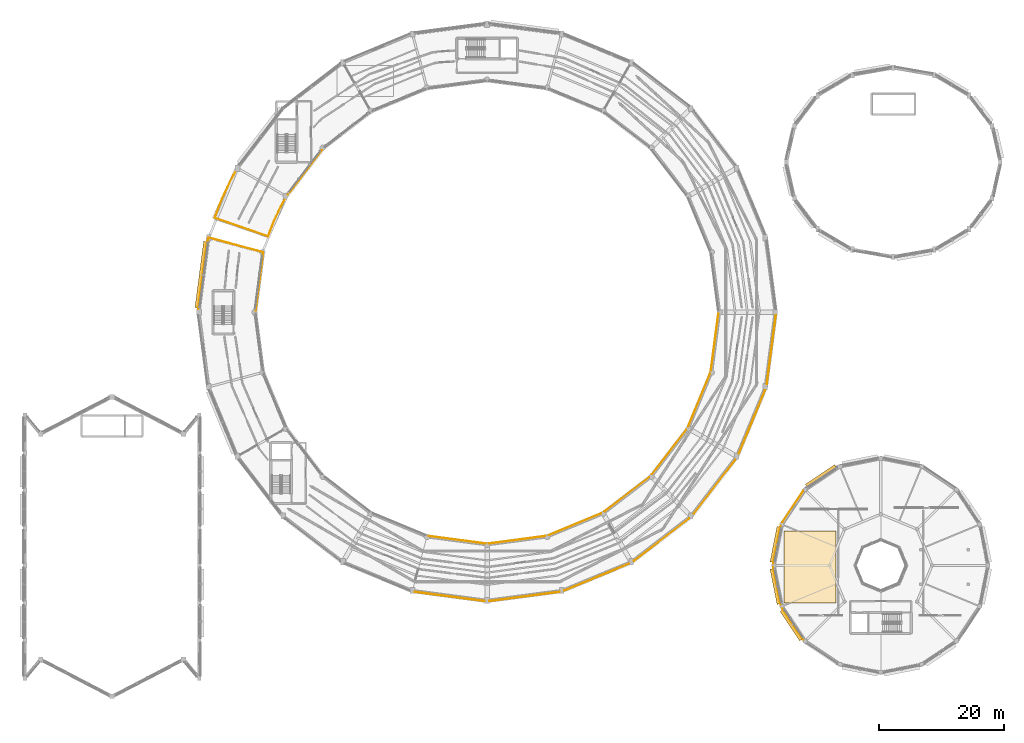
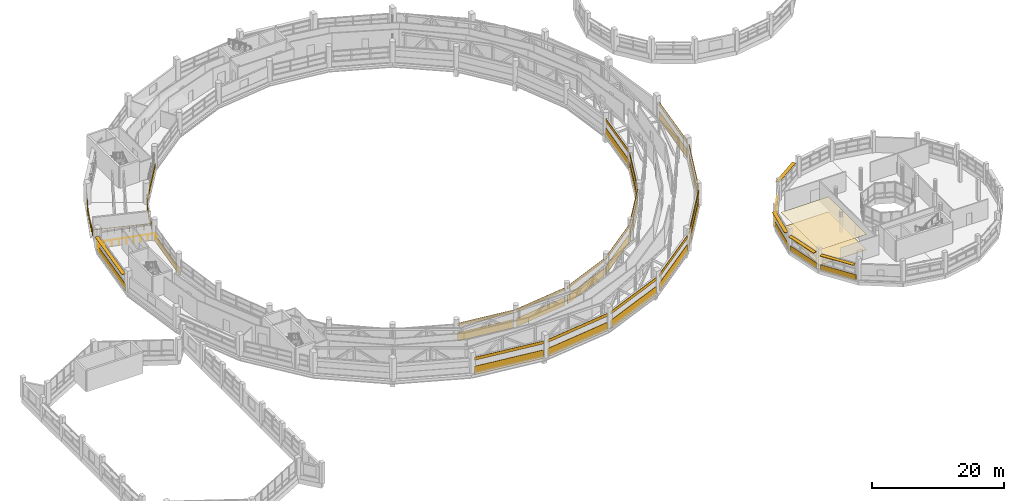
# One storey, part 115 of 121: 37 coverings, 5 shading devices, 2 railings.
"""IFC4 building model written with IfcOpenShell, lengths in metres."""

from ifc_helpers import new_model, si_unit, direction, frame, frame_2d, origin, origin_2d, place, context, subcontext, project, spatial, polyline, rectangle, circle, outline, extrude, material, layer, layer_set, type_object, element, save


model = new_model("IFC4")

# Units and contexts
model_context = context("Model", 3, precision=1e-05, world=origin(), true_north=direction((0.0, 1.0)))
body_context = subcontext(model_context, "Body", "Model", "MODEL_VIEW")
ifc_project = project(units=[si_unit("LENGTHUNIT", "METRE"), si_unit("AREAUNIT", "SQUARE_METRE"), si_unit("VOLUMEUNIT", "CUBIC_METRE"), si_unit("PLANEANGLEUNIT", "RADIAN"), si_unit("MASSUNIT", "GRAM", prefix="KILO")], contexts=[model_context])

# Site, building, storey
site_placement = place(None, origin())
site = spatial("IfcSite", under=ifc_project, at=site_placement, CompositionType="ELEMENT")
building_placement = place(site_placement, origin())
building = spatial("IfcBuilding", under=site, at=building_placement, Name="Vespera Passage Community Centre", CompositionType="ELEMENT")
storey_placement = place(building_placement, frame((0.0, 0.0, 8.699951171875)))
storey = spatial("IfcBuildingStorey", under=building, at=storey_placement, Name="L02", CompositionType="ELEMENT", Elevation=8.699951171875)

# Coverings
ifc_material_1 = material(Name="Acoustic mineral-fibre tile")
ifc_layer_1 = layer(ifc_material_1, 0.02490234375)
ifc_layer_set_1 = layer_set([ifc_layer_1], Name="Acoustic mineral-fibre tile")
covering_type_1 = type_object("IfcCoveringType", Name="COV-CEIL-25I", PredefinedType="CEILING", material=ifc_layer_set_1)
covering_1_placement = place(storey_placement, frame((0.0, 0.0, 2.800048828125)))
element("IfcCovering", 1, at=covering_1_placement, inside=storey, type_object=covering_type_1, Name="Seminar Room Acoustic Ceiling", PredefinedType="CEILING", context=body_context, shape_type="SweptSolid", body=[
    extrude(outline(polyline([(125.5, 19.0), (133.800048828125, 19.0), (133.800048828125, 30.5), (125.5, 30.5), (125.5, 19.0)])), origin(), (0.0, 0.0, 1.0), 0.02490234375),
])
ifc_material_2 = material(Name="Precast concrete f'c 40 MPa", Category="concrete")
ifc_layer_2 = layer(ifc_material_2, 0.06005859375)
ifc_layer_set_2 = layer_set([ifc_layer_2], Name="Precast concrete f'c 40 MPa")
covering_type_2 = type_object("IfcCoveringType", Name="COV-CLAD-60E", PredefinedType="CLADDING", material=ifc_layer_set_2)
covering_2_placement = place(storey_placement, frame((51.603515625, 91.4296875, -0.47998046875), z_axis=(0.0, 0.0, 1.0), x_axis=(-0.608765610033, -0.793350132061, 0.0)))
element("IfcCovering", 2, at=covering_2_placement, inside=storey, type_object=covering_type_2, Name="V4 L02 Inner Court White Spandrel Band I9", PredefinedType="CLADDING", context=body_context, shape_type="SweptSolid", body=[
    extrude(rectangle(XDim=9.004638671875, YDim=0.06005859375, at=frame_2d((4.50244140625, 0.0))), origin(), (0.0, 0.0, 1.0), 1.300048828125),
])
covering_3_placement = place(storey_placement, frame((31.794189453125, 65.997314453125, -0.47998046875), z_axis=(0.0, 0.0, 1.0), x_axis=(0.130513242145, 0.991446566197, 0.0)))
element("IfcCovering", 3, at=covering_3_placement, inside=storey, type_object=covering_type_2, Name="V4 L02 Outer White Spandrel Band O11", PredefinedType="CLADDING", context=body_context, shape_type="SweptSolid", body=[
    extrude(rectangle(XDim=11.075927734375, YDim=0.06005859375, at=frame_2d((5.5380859375, 0.0))), origin(), (0.0, 0.0, 1.0), 1.300048828125),
])
covering_4_placement = place(storey_placement, frame((42.18505859375, 74.832763671875, -0.47998046875), z_axis=(0.0, 0.0, 1.0), x_axis=(-0.13052003772, -0.99144567161, 0.0)))
element("IfcCovering", 4, at=covering_4_placement, inside=storey, type_object=covering_type_2, Name="V4 L02 Inner Court White Spandrel Band I11", PredefinedType="CLADDING", context=body_context, shape_type="SweptSolid", body=[
    extrude(rectangle(XDim=9.15625, YDim=0.06005859375, at=frame_2d((4.578125, 0.0))), origin(), (0.0, 0.0, 1.0), 1.300048828125),
])
covering_5_placement = place(storey_placement, frame((77.627685546875, 19.277587890625, -0.47998046875), z_axis=(0.0, 0.0, 1.0), x_axis=(-0.991446004399, 0.130517509785, 0.0)))
element("IfcCovering", 5, at=covering_5_placement, inside=storey, type_object=covering_type_2, Name="V4 L02 Outer Truss Spandrel Band O17", PredefinedType="CLADDING", context=body_context, shape_type="SweptSolid", body=[
    extrude(rectangle(XDim=11.328125, YDim=0.06005859375, at=frame_2d((5.6640625, 0.0))), origin(), (0.0, 0.0, 1.0), 1.530029296875),
])
covering_6_placement = place(storey_placement, frame((77.627685546875, 19.277587890625, 2.15576171875), z_axis=(0.0, 0.0, 1.0), x_axis=(-0.991446004399, 0.130517509785, 0.0)))
element("IfcCovering", 6, at=covering_6_placement, inside=storey, type_object=covering_type_2, Name="V4 L02 Outer Truss Frieze Band O17", PredefinedType="CLADDING", context=body_context, shape_type="SweptSolid", body=[
    extrude(rectangle(XDim=11.328125, YDim=0.06005859375, at=frame_2d((5.6640625, 0.0))), origin(), (0.0, 0.0, 1.0), 0.5498046875),
])
covering_7_placement = place(storey_placement, frame((68.667236328125, 29.68505859375, -0.47998046875), z_axis=(0.0, 0.0, 1.0), x_axis=(0.99144567161, -0.13052003772, 0.0)))
element("IfcCovering", 7, at=covering_7_placement, inside=storey, type_object=covering_type_2, Name="V4 L02 Court Truss Spandrel Band I17", PredefinedType="CLADDING", context=body_context, shape_type="SweptSolid", body=[
    extrude(rectangle(XDim=9.15625, YDim=0.06005859375, at=frame_2d((4.578125, 0.0))), origin(), (0.0, 0.0, 1.0), 1.530029296875),
])
covering_8_placement = place(storey_placement, frame((68.667236328125, 29.68505859375, 2.239501953125), z_axis=(0.0, 0.0, 1.0), x_axis=(0.99144567161, -0.13052003772, 0.0)))
element("IfcCovering", 8, at=covering_8_placement, inside=storey, type_object=covering_type_2, Name="V4 L02 Court Truss Frieze Band I17", PredefinedType="CLADDING", context=body_context, shape_type="SweptSolid", body=[
    extrude(rectangle(XDim=9.15625, YDim=0.06005859375, at=frame_2d((4.578125, 0.0))), origin(), (0.0, 0.0, 1.0), 0.550048828125),
])
covering_9_placement = place(storey_placement, frame((89.603515625, 20.756103515625, -0.47998046875), z_axis=(0.0, 0.0, 1.0), x_axis=(-0.991446004399, -0.130517509785, 0.0)))
element("IfcCovering", 9, at=covering_9_placement, inside=storey, type_object=covering_type_2, Name="V4 L02 Outer Truss Spandrel Band O18", PredefinedType="CLADDING", context=body_context, shape_type="SweptSolid", body=[
    extrude(rectangle(XDim=11.328125, YDim=0.06005859375, at=frame_2d((5.6640625, 0.0))), origin(), (0.0, 0.0, 1.0), 1.530029296875),
])
covering_10_placement = place(storey_placement, frame((89.603515625, 20.756103515625, 2.15576171875), z_axis=(0.0, 0.0, 1.0), x_axis=(-0.991446004399, -0.130517509785, 0.0)))
element("IfcCovering", 10, at=covering_10_placement, inside=storey, type_object=covering_type_2, Name="V4 L02 Outer Truss Frieze Band O18", PredefinedType="CLADDING", context=body_context, shape_type="SweptSolid", body=[
    extrude(rectangle(XDim=11.328125, YDim=0.06005859375, at=frame_2d((5.6640625, 0.0))), origin(), (0.0, 0.0, 1.0), 0.5498046875),
])
covering_11_placement = place(storey_placement, frame((78.2548828125, 28.489990234375, -0.47998046875), z_axis=(0.0, 0.0, 1.0), x_axis=(0.99144567161, 0.13052003772, 0.0)))
element("IfcCovering", 11, at=covering_11_placement, inside=storey, type_object=covering_type_2, Name="V4 L02 Court Truss Spandrel Band I18", PredefinedType="CLADDING", context=body_context, shape_type="SweptSolid", body=[
    extrude(rectangle(XDim=9.15625, YDim=0.06005859375, at=frame_2d((4.578125, 0.0))), origin(), (0.0, 0.0, 1.0), 1.530029296875),
])
covering_12_placement = place(storey_placement, frame((78.2548828125, 28.489990234375, 2.239501953125), z_axis=(0.0, 0.0, 1.0), x_axis=(0.99144567161, 0.13052003772, 0.0)))
element("IfcCovering", 12, at=covering_12_placement, inside=storey, type_object=covering_type_2, Name="V4 L02 Court Truss Frieze Band I18", PredefinedType="CLADDING", context=body_context, shape_type="SweptSolid", body=[
    extrude(rectangle(XDim=9.15625, YDim=0.06005859375, at=frame_2d((4.578125, 0.0))), origin(), (0.0, 0.0, 1.0), 0.550048828125),
])
covering_13_placement = place(storey_placement, frame((100.76318359375, 25.273193359375, -0.47998046875), z_axis=(0.0, 0.0, 1.0), x_axis=(-0.923883530636, -0.382673779896, 0.0)))
element("IfcCovering", 13, at=covering_13_placement, inside=storey, type_object=covering_type_2, Name="V4 L02 Outer Truss Spandrel Band O19", PredefinedType="CLADDING", context=body_context, shape_type="SweptSolid", body=[
    extrude(rectangle(XDim=11.2724609375, YDim=0.06005859375, at=frame_2d((5.63623046875, 0.0))), origin(), (0.0, 0.0, 1.0), 1.530029296875),
])
covering_14_placement = place(storey_placement, frame((100.76318359375, 25.273193359375, 2.15576171875), z_axis=(0.0, 0.0, 1.0), x_axis=(-0.923883530636, -0.382673779896, 0.0)))
element("IfcCovering", 14, at=covering_14_placement, inside=storey, type_object=covering_type_2, Name="V4 L02 Outer Truss Frieze Band O19", PredefinedType="CLADDING", context=body_context, shape_type="SweptSolid", body=[
    extrude(rectangle(XDim=11.2724609375, YDim=0.06005859375, at=frame_2d((5.63623046875, 0.0))), origin(), (0.0, 0.0, 1.0), 0.5498046875),
])
covering_15_placement = place(storey_placement, frame((87.845703125, 29.825439453125, -0.47998046875), z_axis=(0.0, 0.0, 1.0), x_axis=(0.92387477551, 0.38269491658, 0.0)))
element("IfcCovering", 15, at=covering_15_placement, inside=storey, type_object=covering_type_2, Name="V4 L02 Court Truss Spandrel Band I19", PredefinedType="CLADDING", context=body_context, shape_type="SweptSolid", body=[
    extrude(rectangle(XDim=9.11181640625, YDim=0.06005859375, at=frame_2d((4.555908203125, 0.0))), origin(), (0.0, 0.0, 1.0), 1.530029296875),
])
covering_16_placement = place(storey_placement, frame((87.845703125, 29.825439453125, 2.239501953125), z_axis=(0.0, 0.0, 1.0), x_axis=(0.92387477551, 0.38269491658, 0.0)))
element("IfcCovering", 16, at=covering_16_placement, inside=storey, type_object=covering_type_2, Name="V4 L02 Court Truss Frieze Band I19", PredefinedType="CLADDING", context=body_context, shape_type="SweptSolid", body=[
    extrude(rectangle(XDim=9.11181640625, YDim=0.06005859375, at=frame_2d((4.555908203125, 0.0))), origin(), (0.0, 0.0, 1.0), 0.550048828125),
])
covering_17_placement = place(storey_placement, frame((110.345947265625, 32.4951171875, -0.47998046875), z_axis=(0.0, 0.0, 1.0), x_axis=(-0.793342066679, -0.608776120785, 0.0)))
element("IfcCovering", 17, at=covering_17_placement, inside=storey, type_object=covering_type_2, Name="V4 L02 Outer Truss Spandrel Band O20", PredefinedType="CLADDING", context=body_context, shape_type="SweptSolid", body=[
    extrude(rectangle(XDim=11.13916015625, YDim=0.06005859375, at=frame_2d((5.569580078125, 0.0))), origin(), (0.0, 0.0, 1.0), 1.530029296875),
])
covering_18_placement = place(storey_placement, frame((110.345947265625, 32.4951171875, 2.15576171875), z_axis=(0.0, 0.0, 1.0), x_axis=(-0.793342066679, -0.608776120785, 0.0)))
element("IfcCovering", 18, at=covering_18_placement, inside=storey, type_object=covering_type_2, Name="V4 L02 Outer Truss Frieze Band O20", PredefinedType="CLADDING", context=body_context, shape_type="SweptSolid", body=[
    extrude(rectangle(XDim=11.13916015625, YDim=0.06005859375, at=frame_2d((5.569580078125, 0.0))), origin(), (0.0, 0.0, 1.0), 0.5498046875),
])
covering_19_placement = place(storey_placement, frame((96.785888671875, 33.621826171875, -0.47998046875), z_axis=(0.0, 0.0, 1.0), x_axis=(0.793350132061, 0.608765610033, 0.0)))
element("IfcCovering", 19, at=covering_19_placement, inside=storey, type_object=covering_type_2, Name="V4 L02 Court Truss Spandrel Band I20", PredefinedType="CLADDING", context=body_context, shape_type="SweptSolid", body=[
    extrude(rectangle(XDim=9.004638671875, YDim=0.06005859375, at=frame_2d((4.50244140625, 0.0))), origin(), (0.0, 0.0, 1.0), 1.530029296875),
])
covering_20_placement = place(storey_placement, frame((96.785888671875, 33.621826171875, 2.239501953125), z_axis=(0.0, 0.0, 1.0), x_axis=(0.793350132061, 0.608765610033, 0.0)))
element("IfcCovering", 20, at=covering_20_placement, inside=storey, type_object=covering_type_2, Name="V4 L02 Court Truss Frieze Band I20", PredefinedType="CLADDING", context=body_context, shape_type="SweptSolid", body=[
    extrude(rectangle(XDim=9.004638671875, YDim=0.06005859375, at=frame_2d((4.50244140625, 0.0))), origin(), (0.0, 0.0, 1.0), 0.550048828125),
])
covering_21_placement = place(storey_placement, frame((117.698974609375, 41.877685546875, -0.47998046875), z_axis=(0.0, 0.0, 1.0), x_axis=(-0.608767750285, -0.793348489765, 0.0)))
element("IfcCovering", 21, at=covering_21_placement, inside=storey, type_object=covering_type_2, Name="V4 L02 Outer Truss Spandrel Band O21", PredefinedType="CLADDING", context=body_context, shape_type="SweptSolid", body=[
    extrude(rectangle(XDim=10.8525390625, YDim=0.06005859375, at=frame_2d((5.42626953125, 0.0))), origin(), (0.0, 0.0, 1.0), 1.530029296875),
])
covering_22_placement = place(storey_placement, frame((117.698974609375, 41.877685546875, 2.15576171875), z_axis=(0.0, 0.0, 1.0), x_axis=(-0.608767750285, -0.793348489765, 0.0)))
element("IfcCovering", 22, at=covering_22_placement, inside=storey, type_object=covering_type_2, Name="V4 L02 Outer Truss Frieze Band O21", PredefinedType="CLADDING", context=body_context, shape_type="SweptSolid", body=[
    extrude(rectangle(XDim=10.8525390625, YDim=0.06005859375, at=frame_2d((5.42626953125, 0.0))), origin(), (0.0, 0.0, 1.0), 0.5498046875),
])
covering_23_placement = place(storey_placement, frame((104.396484375, 39.5703125, -0.47998046875), z_axis=(0.0, 0.0, 1.0), x_axis=(0.608765610033, 0.793350132061, 0.0)))
element("IfcCovering", 23, at=covering_23_placement, inside=storey, type_object=covering_type_2, Name="V4 L02 Court Truss Spandrel Band I21", PredefinedType="CLADDING", context=body_context, shape_type="SweptSolid", body=[
    extrude(rectangle(XDim=9.004638671875, YDim=0.06005859375, at=frame_2d((4.50244140625, 0.0))), origin(), (0.0, 0.0, 1.0), 1.530029296875),
])
covering_24_placement = place(storey_placement, frame((104.396484375, 39.5703125, 2.239501953125), z_axis=(0.0, 0.0, 1.0), x_axis=(0.608765610033, 0.793350132061, 0.0)))
element("IfcCovering", 24, at=covering_24_placement, inside=storey, type_object=covering_type_2, Name="V4 L02 Court Truss Frieze Band I21", PredefinedType="CLADDING", context=body_context, shape_type="SweptSolid", body=[
    extrude(rectangle(XDim=9.004638671875, YDim=0.06005859375, at=frame_2d((4.50244140625, 0.0))), origin(), (0.0, 0.0, 1.0), 0.550048828125),
])
covering_25_placement = place(storey_placement, frame((122.48876953125, 53.0263671875, -0.47998046875), z_axis=(0.0, 0.0, 1.0), x_axis=(-0.382695413149, -0.923874569817, 0.0)))
element("IfcCovering", 25, at=covering_25_placement, inside=storey, type_object=covering_type_2, Name="V4 L02 Outer Truss Spandrel Band O22", PredefinedType="CLADDING", context=body_context, shape_type="SweptSolid", body=[
    extrude(rectangle(XDim=11.002197265625, YDim=0.06005859375, at=frame_2d((5.5009765625, 0.0))), origin(), (0.0, 0.0, 1.0), 1.530029296875),
])
covering_26_placement = place(storey_placement, frame((122.48876953125, 53.0263671875, 2.15576171875), z_axis=(0.0, 0.0, 1.0), x_axis=(-0.382695413149, -0.923874569817, 0.0)))
element("IfcCovering", 26, at=covering_26_placement, inside=storey, type_object=covering_type_2, Name="V4 L02 Outer Truss Frieze Band O22", PredefinedType="CLADDING", context=body_context, shape_type="SweptSolid", body=[
    extrude(rectangle(XDim=11.002197265625, YDim=0.06005859375, at=frame_2d((5.5009765625, 0.0))), origin(), (0.0, 0.0, 1.0), 0.5498046875),
])
covering_27_placement = place(storey_placement, frame((110.1875, 47.236083984375, -0.47998046875), z_axis=(0.0, 0.0, 1.0), x_axis=(0.38269491658, 0.92387477551, 0.0)))
element("IfcCovering", 27, at=covering_27_placement, inside=storey, type_object=covering_type_2, Name="V4 L02 Court Truss Spandrel Band I22", PredefinedType="CLADDING", context=body_context, shape_type="SweptSolid", body=[
    extrude(rectangle(XDim=9.11181640625, YDim=0.06005859375, at=frame_2d((4.555908203125, 0.0))), origin(), (0.0, 0.0, 1.0), 1.530029296875),
])
covering_28_placement = place(storey_placement, frame((110.1875, 47.236083984375, 2.239501953125), z_axis=(0.0, 0.0, 1.0), x_axis=(0.38269491658, 0.92387477551, 0.0)))
element("IfcCovering", 28, at=covering_28_placement, inside=storey, type_object=covering_type_2, Name="V4 L02 Court Truss Frieze Band I22", PredefinedType="CLADDING", context=body_context, shape_type="SweptSolid", body=[
    extrude(rectangle(XDim=9.11181640625, YDim=0.06005859375, at=frame_2d((4.555908203125, 0.0))), origin(), (0.0, 0.0, 1.0), 0.550048828125),
])
covering_29_placement = place(storey_placement, frame((124.205810546875, 65.002685546875, -0.47998046875), z_axis=(0.0, 0.0, 1.0), x_axis=(-0.130513242145, -0.991446566197, 0.0)))
element("IfcCovering", 29, at=covering_29_placement, inside=storey, type_object=covering_type_2, Name="V4 L02 Outer Truss Spandrel Band O23", PredefinedType="CLADDING", context=body_context, shape_type="SweptSolid", body=[
    extrude(rectangle(XDim=11.075927734375, YDim=0.06005859375, at=frame_2d((5.5380859375, 0.0))), origin(), (0.0, 0.0, 1.0), 1.530029296875),
])
covering_30_placement = place(storey_placement, frame((124.205810546875, 65.002685546875, 2.15576171875), z_axis=(0.0, 0.0, 1.0), x_axis=(-0.130513242145, -0.991446566197, 0.0)))
element("IfcCovering", 30, at=covering_30_placement, inside=storey, type_object=covering_type_2, Name="V4 L02 Outer Truss Frieze Band O23", PredefinedType="CLADDING", context=body_context, shape_type="SweptSolid", body=[
    extrude(rectangle(XDim=11.075927734375, YDim=0.06005859375, at=frame_2d((5.5380859375, 0.0))), origin(), (0.0, 0.0, 1.0), 0.5498046875),
])
covering_31_placement = place(storey_placement, frame((113.81494140625, 56.167236328125, -0.47998046875), z_axis=(0.0, 0.0, 1.0), x_axis=(0.13052003772, 0.99144567161, 0.0)))
element("IfcCovering", 31, at=covering_31_placement, inside=storey, type_object=covering_type_2, Name="V4 L02 Court Truss Spandrel Band I23", PredefinedType="CLADDING", context=body_context, shape_type="SweptSolid", body=[
    extrude(rectangle(XDim=9.15625, YDim=0.06005859375, at=frame_2d((4.578125, 0.0))), origin(), (0.0, 0.0, 1.0), 1.530029296875),
])
covering_32_placement = place(storey_placement, frame((113.81494140625, 56.167236328125, 2.239501953125), z_axis=(0.0, 0.0, 1.0), x_axis=(0.13052003772, 0.99144567161, 0.0)))
element("IfcCovering", 32, at=covering_32_placement, inside=storey, type_object=covering_type_2, Name="V4 L02 Court Truss Frieze Band I23", PredefinedType="CLADDING", context=body_context, shape_type="SweptSolid", body=[
    extrude(rectangle(XDim=9.15625, YDim=0.06005859375, at=frame_2d((4.578125, 0.0))), origin(), (0.0, 0.0, 1.0), 0.550048828125),
])
covering_33_placement = place(storey_placement, frame((125.246826171875, 31.91748046875, -0.260009765625), z_axis=(0.0, 0.0, 1.0), x_axis=(0.555573083966, 0.831467707354, 0.0)))
element("IfcCovering", 33, at=covering_33_placement, inside=storey, type_object=covering_type_2, Name="V3 L02 White Sill Band 7", PredefinedType="CLADDING", context=body_context, shape_type="SweptSolid", body=[
    extrude(rectangle(XDim=6.00048828125, YDim=0.06005859375, at=frame_2d((3.000244140625, 0.0))), origin(), (0.0, 0.0, 1.0), 1.080078125),
])
for number, where, z_axis, x_axis, name in (
    (34, (123.7880859375, 25.30859375, -0.260009765625), (0.0, 0.0, 1.0), (0.195101780047, 0.98078300119, 0.0), "V3 L02 White Spandrel Band 8"),
    (35, (124.980224609375, 18.698486328125, -0.260009765625), (0.0, 0.0, 1.0), (-0.195101780047, 0.98078300119, 0.0), "V3 L02 White Spandrel Band 9"),
):
    element("IfcCovering", number, at=place(storey_placement, frame(where, z_axis=z_axis, x_axis=x_axis)), inside=storey, type_object=covering_type_2, Name=name, PredefinedType="CLADDING", context=body_context, shape_type="SweptSolid", body=[
        extrude(rectangle(XDim=6.1103515625, YDim=0.06005859375, at=frame_2d((3.05517578125, 0.0))), origin(), (0.0, 0.0, 1.0), 1.06005859375),
    ])
covering_34_placement = place(storey_placement, frame((128.58056640625, 13.09326171875, -0.260009765625), z_axis=(0.0, 0.0, 1.0), x_axis=(-0.555573083966, 0.831467707354, 0.0)))
element("IfcCovering", 36, at=covering_34_placement, inside=storey, type_object=covering_type_2, Name="V3 L02 White Spandrel Band 10", PredefinedType="CLADDING", context=body_context, shape_type="SweptSolid", body=[
    extrude(rectangle(XDim=6.00048828125, YDim=0.06005859375, at=frame_2d((3.000244140625, 0.0))), origin(), (0.0, 0.0, 1.0), 1.06005859375),
])
ifc_material_3 = material(Name="Epoxy terrazzo flooring")
ifc_layer_3 = layer(ifc_material_3, 0.02001953125)
ifc_layer_set_3 = layer_set([ifc_layer_3], Name="Epoxy terrazzo flooring")
covering_type_3 = type_object("IfcCoveringType", Name="COV-FLOOR-20I", PredefinedType="FLOORING", material=ifc_layer_set_3)
covering_35_placement = place(storey_placement, origin())
element("IfcCovering", 37, at=covering_35_placement, inside=storey, type_object=covering_type_3, Name="Seminar Suite Flooring", PredefinedType="FLOORING", context=body_context, shape_type="SweptSolid", body=[
    extrude(outline(polyline([(125.5, 19.0), (133.800048828125, 19.0), (133.800048828125, 30.5), (125.5, 30.5), (125.5, 19.0)])), origin(), (0.0, 0.0, 1.0), 0.02001953125),
])

# Railings
ifc_material_4 = material(Name="Steel ASTM A500 Grade C", Category="steel")
railing_type = type_object("IfcRailingType", Name="RL-EXT-1100E", PredefinedType="GUARDRAIL", material=ifc_material_4)
railing_1_placement = place(storey_placement, frame((38.46728515625, 89.253662109375, 0.0)))
element("IfcRailing", 38, at=railing_1_placement, inside=storey, type_object=railing_type, Name="V4 L02 Daylight Slot North-West Guard", PredefinedType="GUARDRAIL", context=body_context, shape_type="SweptSolid", body=[
    extrude(circle(Radius=0.02392578125, at=origin_2d()), frame((0.0, 0.0, 1.09619140625), z_axis=(-0.485012957514, -0.874506964549, 0.0), x_axis=(0.874506964549, -0.485012957514, 0.0)), (0.0, 0.0, 1.0), 3.1923828125),
    extrude(circle(Radius=0.02392578125, at=origin_2d()), frame((-1.54833984375, -2.791748046875, 1.09619140625), z_axis=(-0.423379435966, -0.905952456369, 0.0), x_axis=(0.905952456369, -0.423379435966, 0.0)), (0.0, 0.0, 1.0), 3.1923828125),
    extrude(circle(Radius=0.02392578125, at=origin_2d()), frame((-2.89990234375, -5.683837890625, 1.09619140625), z_axis=(-0.359757937822, -0.933045672073, 0.0), x_axis=(0.933045672073, -0.359757937822, 0.0)), (0.0, 0.0, 1.0), 3.192138671875),
    extrude(circle(Radius=0.02392578125, at=origin_2d()), frame((-4.04833984375, -8.662353515625, 1.09619140625), z_axis=(0.944949142345, -0.327217234235, 0.0), x_axis=(0.327217234235, 0.944949142345, 0.0)), (0.0, 0.0, 1.0), 9.039794921875),
    extrude(circle(Radius=0.02392578125, at=origin_2d()), frame((4.493896484375, -11.620361328125, 1.09619140625), z_axis=(0.359750226931, 0.933048645153, 0.0), x_axis=(-0.933048645153, 0.359750226931, 0.0)), (0.0, 0.0, 1.0), 2.566650390625),
    extrude(circle(Radius=0.02392578125, at=origin_2d()), frame((5.417236328125, -9.2255859375, 1.09619140625), z_axis=(0.423390521264, 0.905947275786, 0.0), x_axis=(-0.905947275786, 0.423390521264, 0.0)), (0.0, 0.0, 1.0), 2.566650390625),
    extrude(circle(Radius=0.02392578125, at=origin_2d()), frame((6.50390625, -6.900390625, 1.09619140625), z_axis=(0.485117882525, 0.874448763539, 0.0), x_axis=(-0.874448763539, 0.485117882525, 0.0)), (0.0, 0.0, 1.0), 2.566650390625),
    extrude(circle(Radius=0.02099609375, at=origin_2d()), origin(), (0.0, 0.0, 1.0), 1.072021484375),
    extrude(circle(Radius=0.02099609375, at=origin_2d()), frame((-0.51611328125, -0.9306640625, 0.0)), (0.0, 0.0, 1.0), 1.072021484375),
    extrude(circle(Radius=0.02099609375, at=origin_2d()), frame((-1.0322265625, -1.861083984375, 0.0)), (0.0, 0.0, 1.0), 1.072021484375),
    extrude(circle(Radius=0.02099609375, at=origin_2d()), frame((-1.54833984375, -2.791748046875, 0.0)), (0.0, 0.0, 1.0), 1.072021484375),
    extrude(circle(Radius=0.02099609375, at=origin_2d()), frame((-1.998779296875, -3.755859375, 0.0)), (0.0, 0.0, 1.0), 1.072021484375),
    extrude(circle(Radius=0.02099609375, at=origin_2d()), frame((-2.449462890625, -4.7197265625, 0.0)), (0.0, 0.0, 1.0), 1.072021484375),
    extrude(circle(Radius=0.02099609375, at=origin_2d()), frame((-2.89990234375, -5.683837890625, 0.0)), (0.0, 0.0, 1.0), 1.072021484375),
    extrude(circle(Radius=0.02099609375, at=origin_2d()), frame((-3.28271484375, -6.6767578125, 0.0)), (0.0, 0.0, 1.0), 1.072021484375),
    extrude(circle(Radius=0.02099609375, at=origin_2d()), frame((-3.66552734375, -7.66943359375, 0.0)), (0.0, 0.0, 1.0), 1.072021484375),
    extrude(circle(Radius=0.02099609375, at=origin_2d()), frame((-4.04833984375, -8.662353515625, 0.0)), (0.0, 0.0, 1.0), 1.072021484375),
    extrude(circle(Radius=0.02099609375, at=origin_2d()), frame((-2.98046875, -9.0322265625, 0.0)), (0.0, 0.0, 1.0), 1.072021484375),
    extrude(circle(Radius=0.02099609375, at=origin_2d()), frame((-1.912841796875, -9.40185546875, 0.0)), (0.0, 0.0, 1.0), 1.072021484375),
    extrude(circle(Radius=0.02099609375, at=origin_2d()), frame((-0.844970703125, -9.771484375, 0.0)), (0.0, 0.0, 1.0), 1.072021484375),
    extrude(circle(Radius=0.02099609375, at=origin_2d()), frame((0.22265625, -10.141357421875, 0.0)), (0.0, 0.0, 1.0), 1.072021484375),
    extrude(circle(Radius=0.02099609375, at=origin_2d()), frame((1.29052734375, -10.51123046875, 0.0)), (0.0, 0.0, 1.0), 1.072021484375),
    extrude(circle(Radius=0.02099609375, at=origin_2d()), frame((2.3583984375, -10.880859375, 0.0)), (0.0, 0.0, 1.0), 1.072021484375),
    extrude(circle(Radius=0.02099609375, at=origin_2d()), frame((3.426025390625, -11.25048828125, 0.0)), (0.0, 0.0, 1.0), 1.072021484375),
    extrude(circle(Radius=0.02099609375, at=origin_2d()), frame((4.493896484375, -11.620361328125, 0.0)), (0.0, 0.0, 1.0), 1.072021484375),
    extrude(circle(Radius=0.02099609375, at=origin_2d()), frame((4.8017578125, -10.822021484375, 0.0)), (0.0, 0.0, 1.0), 1.072021484375),
    extrude(circle(Radius=0.02099609375, at=origin_2d()), frame((5.109375, -10.02392578125, 0.0)), (0.0, 0.0, 1.0), 1.072021484375),
    extrude(circle(Radius=0.02099609375, at=origin_2d()), frame((5.417236328125, -9.2255859375, 0.0)), (0.0, 0.0, 1.0), 1.072021484375),
    extrude(circle(Radius=0.02099609375, at=origin_2d()), frame((5.779541015625, -8.450439453125, 0.0)), (0.0, 0.0, 1.0), 1.072021484375),
    extrude(circle(Radius=0.02099609375, at=origin_2d()), frame((6.1416015625, -7.675537109375, 0.0)), (0.0, 0.0, 1.0), 1.072021484375),
    extrude(circle(Radius=0.02099609375, at=origin_2d()), frame((6.50390625, -6.900390625, 0.0)), (0.0, 0.0, 1.0), 1.072021484375),
    extrude(circle(Radius=0.02099609375, at=origin_2d()), frame((6.9189453125, -6.15234375, 0.0)), (0.0, 0.0, 1.0), 1.072021484375),
    extrude(circle(Radius=0.02099609375, at=origin_2d()), frame((7.333984375, -5.404052734375, 0.0)), (0.0, 0.0, 1.0), 1.072021484375),
    extrude(circle(Radius=0.02099609375, at=origin_2d()), frame((7.7490234375, -4.656005859375, 0.0)), (0.0, 0.0, 1.0), 1.072021484375),
])
railing_2_placement = place(storey_placement, frame((33.211181640625, 76.501220703125, 0.0)))
element("IfcRailing", 39, at=railing_2_placement, inside=storey, type_object=railing_type, Name="V4 L02 Daylight Slot South-West Guard", PredefinedType="GUARDRAIL", context=body_context, shape_type="SweptSolid", body=[
    extrude(circle(Radius=0.02392578125, at=origin_2d()), frame((0.0, 0.0, 1.09619140625), z_axis=(0.248715882688, 0.968576486241, 0.0), x_axis=(-0.968576486241, 0.248715882688, 0.0)), (0.0, 0.0, 1.0), 0.9658203125),
    extrude(circle(Radius=0.02392578125, at=origin_2d()), frame((0.240234375, 0.935546875, 1.09619140625), z_axis=(0.965924062542, -0.258825627405, 0.0), x_axis=(0.258825627405, 0.965924062542, 0.0)), (0.0, 0.0, 1.0), 9.040283203125),
    extrude(circle(Radius=0.02392578125, at=origin_2d()), frame((8.972412109375, -1.404296875, 1.09619140625), z_axis=(-0.248965219555, -0.96851242607, 0.0), x_axis=(0.96851242607, -0.248965219555, 0.0)), (0.0, 0.0, 1.0), 0.776611328125),
    extrude(circle(Radius=0.02099609375, at=origin_2d()), origin(), (0.0, 0.0, 1.0), 1.072021484375),
    extrude(circle(Radius=0.02099609375, at=origin_2d()), frame((0.240234375, 0.935546875, 0.0)), (0.0, 0.0, 1.0), 1.072021484375),
    extrude(circle(Radius=0.02099609375, at=origin_2d()), frame((1.331787109375, 0.64306640625, 0.0)), (0.0, 0.0, 1.0), 1.072021484375),
    extrude(circle(Radius=0.02099609375, at=origin_2d()), frame((2.42333984375, 0.3505859375, 0.0)), (0.0, 0.0, 1.0), 1.072021484375),
    extrude(circle(Radius=0.02099609375, at=origin_2d()), frame((3.514892578125, 0.05810546875, 0.0)), (0.0, 0.0, 1.0), 1.072021484375),
    extrude(circle(Radius=0.02099609375, at=origin_2d()), frame((4.6064453125, -0.234375, 0.0)), (0.0, 0.0, 1.0), 1.072021484375),
    extrude(circle(Radius=0.02099609375, at=origin_2d()), frame((5.69775390625, -0.52685546875, 0.0)), (0.0, 0.0, 1.0), 1.072021484375),
    extrude(circle(Radius=0.02099609375, at=origin_2d()), frame((6.789306640625, -0.8193359375, 0.0)), (0.0, 0.0, 1.0), 1.072021484375),
    extrude(circle(Radius=0.02099609375, at=origin_2d()), frame((7.880859375, -1.11181640625, 0.0)), (0.0, 0.0, 1.0), 1.072021484375),
    extrude(circle(Radius=0.02099609375, at=origin_2d()), frame((8.972412109375, -1.404296875, 0.0)), (0.0, 0.0, 1.0), 1.072021484375),
    extrude(circle(Radius=0.02099609375, at=origin_2d()), frame((8.779052734375, -2.156494140625, 0.0)), (0.0, 0.0, 1.0), 1.072021484375),
])

# Shading devices
ifc_material_5 = material(Name="Anodized aluminium 6063-T6", Category="aluminium")
shading_device_type = type_object("IfcShadingDeviceType", Name="SHD-EYEBROW", PredefinedType="JALOUSIE", material=ifc_material_5)
shading_device_1_placement = place(storey_placement, frame((32.249267578125, 71.523193359375, 2.605712890625), z_axis=(0.0, 0.0, 1.0), x_axis=(0.130508888223, 0.991447139335, 0.0)))
element("IfcShadingDevice", 40, at=shading_device_1_placement, inside=storey, type_object=shading_device_type, Name="V4 L02 Outer Solar Eyebrow 11", PredefinedType="JALOUSIE", context=body_context, shape_type="SweptSolid", body=[
    extrude(rectangle(XDim=10.725830078125, YDim=0.60009765625, at=origin_2d()), origin(), (0.0, 0.0, 1.0), 0.080078125),
])
shading_device_2_placement = place(storey_placement, frame((131.43798828125, 39.310791015625, 2.7451171875), z_axis=(0.0, 0.0, 1.0), x_axis=(0.831479308706, 0.555555721053, 0.0)))
element("IfcShadingDevice", 41, at=shading_device_2_placement, inside=storey, type_object=shading_device_type, Name="V3 L02 Solar Eyebrow 6", PredefinedType="JALOUSIE", context=body_context, shape_type="SweptSolid", body=[
    extrude(rectangle(XDim=5.650390625, YDim=0.60009765625, at=origin_2d()), origin(), (0.0, 0.0, 1.0), 0.080078125),
])
for number, where, z_axis, x_axis, name in (
    (42, (124.119384765625, 28.35791015625, 2.7451171875), (0.0, 0.0, 1.0), (0.195090322016, 0.980785280403, 0.0), "V3 L02 Solar Eyebrow 8"),
    (43, (124.119384765625, 21.64208984375, 2.7451171875), (0.0, 0.0, 1.0), (-0.195090322016, 0.980785280403, 0.0), "V3 L02 Solar Eyebrow 9"),
):
    element("IfcShadingDevice", number, at=place(storey_placement, frame(where, z_axis=z_axis, x_axis=x_axis)), inside=storey, type_object=shading_device_type, Name=name, PredefinedType="JALOUSIE", context=body_context, shape_type="SweptSolid", body=[
        extrude(rectangle(XDim=5.76025390625, YDim=0.60009765625, at=origin_2d()), origin(), (0.0, 0.0, 1.0), 0.080078125),
    ])
shading_device_3_placement = place(storey_placement, frame((126.689208984375, 15.43798828125, 2.7451171875), z_axis=(0.0, 0.0, 1.0), x_axis=(-0.555555721053, 0.831479308706, 0.0)))
element("IfcShadingDevice", 44, at=shading_device_3_placement, inside=storey, type_object=shading_device_type, Name="V3 L02 Solar Eyebrow 10", PredefinedType="JALOUSIE", context=body_context, shape_type="SweptSolid", body=[
    extrude(rectangle(XDim=5.650390625, YDim=0.60009765625, at=origin_2d()), origin(), (0.0, 0.0, 1.0), 0.080078125),
])

save(model, "model.ifc")
